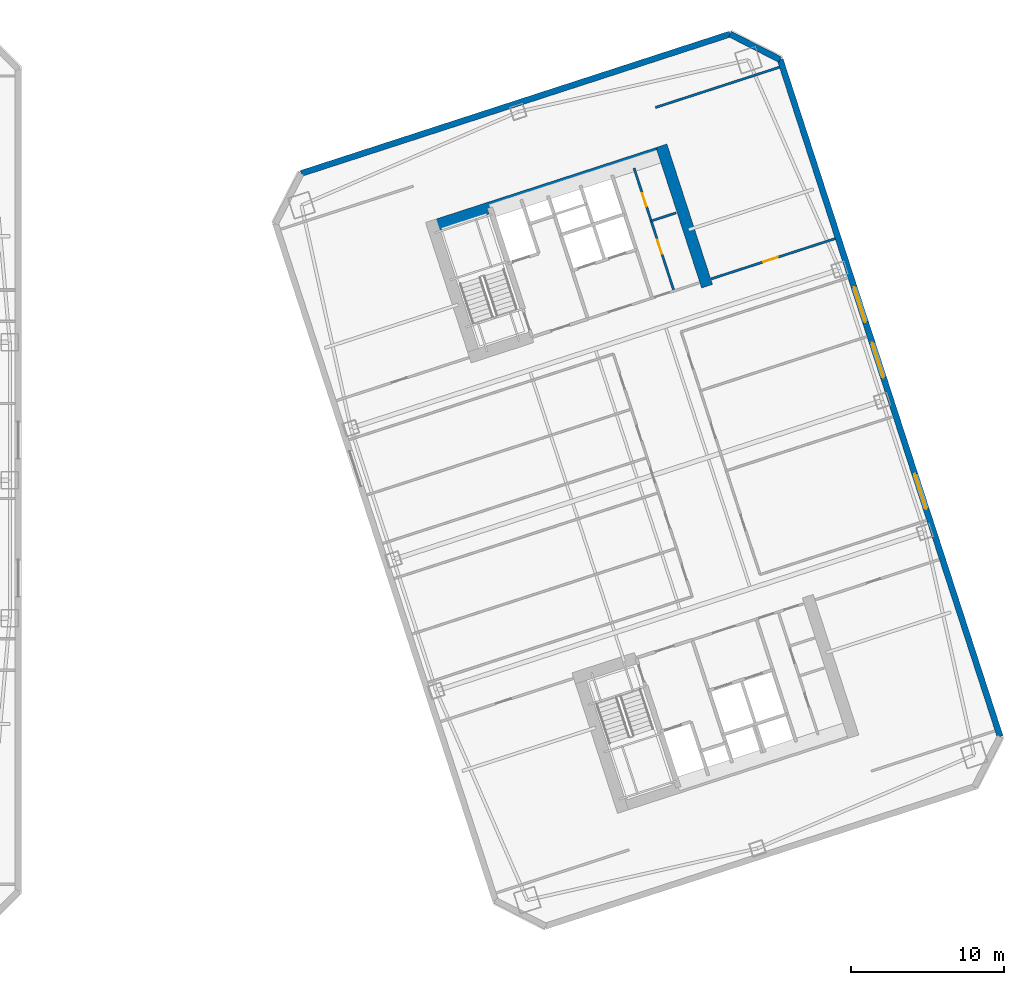
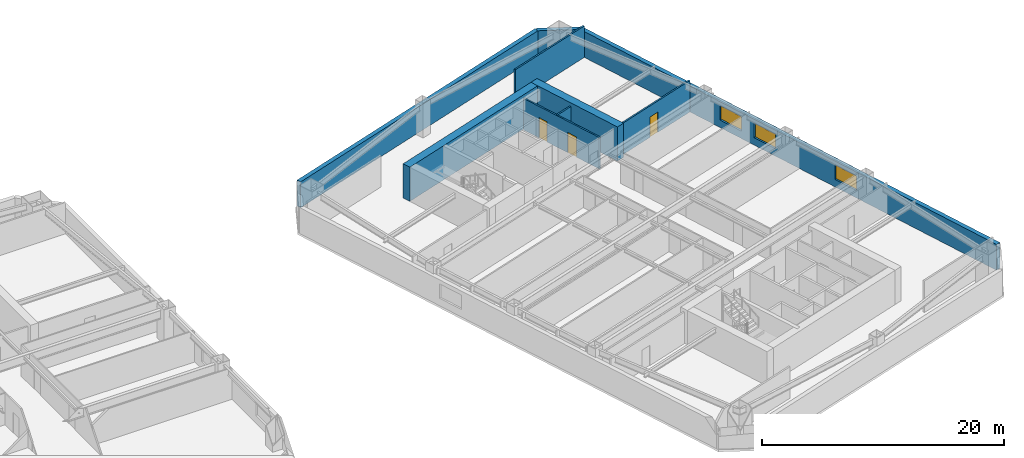
# One storey, part 10 of 13: 9 walls, 3 doors, 3 windows, 6 openings.
"""IFC4 building model written with IfcOpenShell, lengths in metres."""

from ifc_helpers import new_model, si_unit, direction, frame, frame_2d, origin, place, context, subcontext, project, spatial, rectangle, extrude, material, layer, layer_set, type_object, element, fill, save


model = new_model("IFC4")

# Units and contexts
model_context = context("Model", 3, precision=1e-05, world=origin(), true_north=direction((0.0, 1.0)))
body_context = subcontext(model_context, "Body", "Model", "MODEL_VIEW")
ifc_project = project(units=[si_unit("LENGTHUNIT", "METRE"), si_unit("AREAUNIT", "SQUARE_METRE"), si_unit("VOLUMEUNIT", "CUBIC_METRE"), si_unit("PLANEANGLEUNIT", "RADIAN"), si_unit("MASSUNIT", "GRAM", prefix="KILO")], contexts=[model_context])

# Site, building, storey
site_placement = place(None, origin())
site = spatial("IfcSite", under=ifc_project, at=site_placement, CompositionType="ELEMENT")
building_placement = place(site_placement, origin())
building = spatial("IfcBuilding", under=site, at=building_placement, Name="Qiaolan Cultural Towers", CompositionType="ELEMENT")
storey_placement = place(building_placement, frame((0.0, 0.0, 85.10009765625)))
storey = spatial("IfcBuildingStorey", under=building, at=storey_placement, Name="L21", CompositionType="ELEMENT", Elevation=85.10009765625)

# Walls
ifc_material_1 = material(Name="Concrete C60", Category="concrete")
ifc_layer_1 = layer(ifc_material_1, 0.75)
ifc_layer_set_1 = layer_set([ifc_layer_1], Name="Concrete C60")
wall_type_1 = type_object("IfcWallType", Name="WL-CORE-750", PredefinedType="SHEAR", material=ifc_layer_set_1)
wall_1_placement = place(storey_placement, frame((76.27197265625, 50.442626953125, 0.0), z_axis=(0.0, 0.0, 1.0), x_axis=(0.951056072937, 0.309018358888, 0.0)))
element("IfcWall", 1, at=wall_1_placement, inside=storey, type_object=wall_type_1, Name="L21 T2-CN Outer Core Shear Wall", PredefinedType="SHEAR", context=body_context, shape_type="SweptSolid", body=[
    extrude(rectangle(XDim=16.550048828125, YDim=0.75, at=frame_2d((8.27490234375, 0.0))), origin(), (0.0, 0.0, 1.0), 3.449951171875),
])
wall_2_placement = place(storey_placement, frame((94.515380859375, 46.638916015625, 0.0), z_axis=(0.0, 0.0, 1.0), x_axis=(-0.309016134813, 0.951056795583, 0.0)))
element("IfcWall", 2, at=wall_2_placement, inside=storey, type_object=wall_type_1, Name="L21 T2-CN East Core Shear Wall", PredefinedType="SHEAR", context=body_context, shape_type="SweptSolid", body=[
    extrude(rectangle(XDim=9.630126953125, YDim=0.75, at=frame_2d((4.81494140625, 0.0))), origin(), (0.0, 0.0, 1.0), 3.449951171875),
])
ifc_material_2 = material(Name="Precast Concrete C50 Honed Stone Pier", Category="masonry")
ifc_layer_2 = layer(ifc_material_2, 0.39990234375)
ifc_layer_set_2 = layer_set([ifc_layer_2], Name="Precast Concrete C50 Honed Stone Pier")
wall_type_2 = type_object("IfcWallType", Name="WL-EXT-PIER-400", PredefinedType="SOLIDWALL", material=ifc_layer_set_2)
wall_3_placement = place(storey_placement, frame((68.046875, 53.99462890625, 0.0), z_axis=(0.0, 0.0, 1.0), x_axis=(0.95105505922, 0.309021478754, 0.0)))
element("IfcWall", 3, at=wall_3_placement, inside=storey, type_object=wall_type_2, Name="L21 East Tower Precast Pier Facade Wall F3", PredefinedType="SOLIDWALL", context=body_context, shape_type="SweptSolid", body=[
    extrude(rectangle(XDim=29.39990234375, YDim=0.39990234375, at=frame_2d((14.699951171875, 0.0))), origin(), (0.0, 0.0, 1.0), 2.60986328125),
])
wall_4_placement = place(storey_placement, frame((96.0078125, 63.079833984375, 0.0), z_axis=(0.0, 0.0, 1.0), x_axis=(0.891001999643, -0.45399937955, 0.0)))
element("IfcWall", 4, at=wall_4_placement, inside=storey, type_object=wall_type_2, Name="L21 East Tower Precast Pier Facade Wall F4", PredefinedType="SOLIDWALL", context=body_context, shape_type="SweptSolid", body=[
    extrude(rectangle(XDim=3.67724609375, YDim=0.39990234375, at=frame_2d((1.838623046875, 0.0))), origin(), (0.0, 0.0, 1.0), 2.60986328125),
])

# Wall, openings, windows
wall_5_placement = place(storey_placement, frame((99.2841796875, 61.410400390625, 0.0), z_axis=(0.0, 0.0, 1.0), x_axis=(0.309017542002, -0.95105633836, 0.0)))
wall_5 = element("IfcWall", 5, at=wall_5_placement, inside=storey, type_object=wall_type_2, Name="L21 East Tower Precast Pier Facade Wall F5", PredefinedType="SOLIDWALL", context=body_context, shape_type="SweptSolid", body=[
    extrude(rectangle(XDim=46.39990234375, YDim=0.39990234375, at=frame_2d((23.199951171875, 0.0))), origin(), (0.0, 0.0, 1.0), 2.60986328125),
])
opening_1_placement = place(wall_5_placement, frame((28.39990234375, 0.0, 0.75)))
opening_1 = element("IfcOpeningElement", 6, at=opening_1_placement, cuts=wall_5, Name="Opening W-02", PredefinedType="OPENING", context=body_context, shape_type="SweptSolid", body=[
    extrude(rectangle(XDim=2.39990234375, YDim=1.4599609375, at=frame_2d((1.199951171875, 0.72998046875))), frame((0.0, 0.2099609375, 0.0), z_axis=(0.0, -1.0, 0.0), x_axis=(1.0, 0.0, 0.0)), (0.0, 0.0, 1.0), 0.419921875),
])
opening_2_placement = place(wall_5_placement, frame((19.39990234375, 0.0, 0.75)))
opening_2 = element("IfcOpeningElement", 7, at=opening_2_placement, cuts=wall_5, Name="Opening W-02", PredefinedType="OPENING", context=body_context, shape_type="SweptSolid", body=[
    extrude(rectangle(XDim=2.39990234375, YDim=1.4599609375, at=frame_2d((1.199951171875, 0.72998046875))), frame((0.0, 0.2099609375, 0.0), z_axis=(0.0, -1.0, 0.0), x_axis=(1.0, 0.0, 0.0)), (0.0, 0.0, 1.0), 0.419921875),
])
opening_3_placement = place(wall_5_placement, frame((15.60009765625, 0.0, 0.75)))
opening_3 = element("IfcOpeningElement", 8, at=opening_3_placement, cuts=wall_5, Name="Opening W-02", PredefinedType="OPENING", context=body_context, shape_type="SweptSolid", body=[
    extrude(rectangle(XDim=2.39990234375, YDim=1.4599609375, at=frame_2d((1.199951171875, 0.72998046875))), frame((0.0, 0.2099609375, 0.0), z_axis=(0.0, -1.0, 0.0), x_axis=(1.0, 0.0, 0.0)), (0.0, 0.0, 1.0), 0.419921875),
])
ifc_material_3 = material(Name="Thermally Broken Aluminium Triple Low-E Glazing", Category="aluminium")
window_type = type_object("IfcWindowType", Name="WN-CHIC-2400", PartitioningType="SINGLE_PANEL", PredefinedType="WINDOW", material=ifc_material_3)
window_1_placement = place(opening_1_placement, origin())
window_1 = element("IfcWindow", 9, at=window_1_placement, inside=storey, type_object=window_type, Name="L21 T2 E Chicago Bay Window 1", OverallHeight=1.4599609375, OverallWidth=2.39990234375, PartitioningType="TRIPLE_PANEL_VERTICAL", PredefinedType="WINDOW", context=body_context, shape_type="SweptSolid", body=[
    extrude(rectangle(XDim=2.39990234375, YDim=1.4599609375, at=frame_2d((1.199951171875, 0.72998046875))), frame((0.0, 0.030029296875, 0.0), z_axis=(0.0, -1.0, 0.0), x_axis=(1.0, 0.0, 0.0)), (0.0, 0.0, 1.0), 0.06005859375),
])
fill(opening_1, window_1)
window_2_placement = place(opening_2_placement, origin())
window_2 = element("IfcWindow", 10, at=window_2_placement, inside=storey, type_object=window_type, Name="L21 T2 E Chicago Bay Window 2", OverallHeight=1.4599609375, OverallWidth=2.39990234375, PartitioningType="TRIPLE_PANEL_VERTICAL", PredefinedType="WINDOW", context=body_context, shape_type="SweptSolid", body=[
    extrude(rectangle(XDim=2.39990234375, YDim=1.4599609375, at=frame_2d((1.199951171875, 0.72998046875))), frame((0.0, 0.030029296875, 0.0), z_axis=(0.0, -1.0, 0.0), x_axis=(1.0, 0.0, 0.0)), (0.0, 0.0, 1.0), 0.06005859375),
])
fill(opening_2, window_2)
window_3_placement = place(opening_3_placement, origin())
window_3 = element("IfcWindow", 11, at=window_3_placement, inside=storey, type_object=window_type, Name="L21 T2 E Chicago Bay Window 3", OverallHeight=1.4599609375, OverallWidth=2.39990234375, PartitioningType="TRIPLE_PANEL_VERTICAL", PredefinedType="WINDOW", context=body_context, shape_type="SweptSolid", body=[
    extrude(rectangle(XDim=2.39990234375, YDim=1.4599609375, at=frame_2d((1.199951171875, 0.72998046875))), frame((0.0, 0.030029296875, 0.0), z_axis=(0.0, -1.0, 0.0), x_axis=(1.0, 0.0, 0.0)), (0.0, 0.0, 1.0), 0.06005859375),
])
fill(opening_3, window_3)

# Wall, openings, doors
ifc_material_4 = material(Name="Autoclaved Aerated Concrete Block B06", Category="concrete")
ifc_layer_3 = layer(ifc_material_4, 0.14990234375)
ifc_layer_set_3 = layer_set([ifc_layer_3], Name="Autoclaved Aerated Concrete Block B06")
wall_type_3 = type_object("IfcWallType", Name="WL-PART-150", PredefinedType="PARTITIONING", material=ifc_layer_set_3)
wall_6_placement = place(storey_placement, frame((92.354736328125, 46.3310546875, 0.0), z_axis=(0.0, 0.0, 1.0), x_axis=(-0.309007490203, 0.951059604335, 0.0)))
wall_6 = element("IfcWall", 12, at=wall_6_placement, inside=storey, type_object=wall_type_3, Name="L21 T2-CN Washroom Split Wall", PredefinedType="PARTITIONING", context=body_context, shape_type="SweptSolid", body=[
    extrude(rectangle(XDim=8.43017578125, YDim=0.14990234375, at=frame_2d((4.215087890625, 0.0))), origin(), (0.0, 0.0, 1.0), 3.1748046875),
])
opening_4_placement = place(wall_6_placement, frame((2.550048828125, 0.0, 0.0)))
opening_4 = element("IfcOpeningElement", 13, at=opening_4_placement, cuts=wall_6, Name="Opening ID-05", PredefinedType="OPENING", context=body_context, shape_type="SweptSolid", body=[
    extrude(rectangle(XDim=0.949951171875, YDim=2.050048828125, at=frame_2d((0.47509765625, 1.02490234375))), frame((0.0, 0.0849609375, 0.0), z_axis=(0.0, -1.0, 0.0), x_axis=(1.0, 0.0, 0.0)), (0.0, 0.0, 1.0), 0.169921875),
])
opening_5_placement = place(wall_6_placement, frame((5.800048828125, 0.0, 0.0)))
opening_5 = element("IfcOpeningElement", 14, at=opening_5_placement, cuts=wall_6, Name="Opening ID-06", PredefinedType="OPENING", context=body_context, shape_type="SweptSolid", body=[
    extrude(rectangle(XDim=0.89990234375, YDim=2.050048828125, at=frame_2d((0.449951171875, 1.02490234375))), frame((0.0, 0.0849609375, 0.0), z_axis=(0.0, -1.0, 0.0), x_axis=(1.0, 0.0, 0.0)), (0.0, 0.0, 1.0), 0.169921875),
])
ifc_material_5 = material(Name="Fire-Rated Laminate Core Service Door", Category="timber")
door_type_1 = type_object("IfcDoorType", Name="DR-INT-900", OperationType="NOTDEFINED", PredefinedType="DOOR", material=ifc_material_5)
door_1_placement = place(opening_5_placement, origin())
door_1 = element("IfcDoor", 15, at=door_1_placement, inside=storey, type_object=door_type_1, Name="L21 First-Aid Room Door", OperationType="SINGLE_SWING_RIGHT", OverallHeight=2.050048828125, OverallWidth=0.89990234375, PredefinedType="DOOR", context=body_context, shape_type="SweptSolid", body=[
    extrude(rectangle(XDim=0.89990234375, YDim=2.050048828125, at=frame_2d((0.449951171875, 1.02490234375))), frame((0.0, 0.02490234375, 0.0), z_axis=(0.0, -1.0, 0.0), x_axis=(1.0, 0.0, 0.0)), (0.0, 0.0, 1.0), 0.050048828125),
])
fill(opening_5, door_1)
ifc_material_6 = material(Name="Fire-Rated Laminate Accessible Core Door", Category="timber")
door_type_2 = type_object("IfcDoorType", Name="DR-INT-950", OperationType="NOTDEFINED", PredefinedType="DOOR", material=ifc_material_6)
door_2_placement = place(opening_4_placement, origin())
door_2 = element("IfcDoor", 16, at=door_2_placement, inside=storey, type_object=door_type_2, Name="L21 Accessible Washroom Door", OperationType="SINGLE_SWING_LEFT", OverallHeight=2.050048828125, OverallWidth=0.949951171875, PredefinedType="DOOR", context=body_context, shape_type="SweptSolid", body=[
    extrude(rectangle(XDim=0.949951171875, YDim=2.050048828125, at=frame_2d((0.47509765625, 1.02490234375))), frame((0.0, 0.02490234375, 0.0), z_axis=(0.0, -1.0, 0.0), x_axis=(1.0, 0.0, 0.0)), (0.0, 0.0, 1.0), 0.050048828125),
])
fill(opening_4, door_2)

# Walls
wall_7_placement = place(storey_placement, frame((90.871337890625, 50.896240234375, 0.0), z_axis=(0.0, 0.0, 1.0), x_axis=(0.951054116971, 0.309024378638, 0.0)))
element("IfcWall", 17, at=wall_7_placement, inside=storey, type_object=wall_type_3, Name="L21 T2-CN First-Aid Wall", PredefinedType="PARTITIONING", context=body_context, shape_type="SweptSolid", body=[
    extrude(rectangle(XDim=1.7001953125, YDim=0.14990234375, at=frame_2d((0.85009765625, 0.0))), origin(), (0.0, 0.0, 1.0), 3.1748046875),
])
wall_8_placement = place(storey_placement, frame((91.14892578125, 58.294189453125, 0.0), z_axis=(0.0, 0.0, 1.0), x_axis=(0.951062770994, 0.308997743729, 0.0)))
element("IfcWall", 18, at=wall_8_placement, inside=storey, type_object=wall_type_3, Name="L21 T2 Flank Wall FLK-NE", PredefinedType="PARTITIONING", context=body_context, shape_type="SweptSolid", body=[
    extrude(rectangle(XDim=8.5, YDim=0.14990234375, at=frame_2d((4.25, 0.0))), origin(), (0.0, 0.0, 1.0), 3.1748046875),
])

# Wall, opening, door
wall_9_placement = place(storey_placement, frame((94.77978515625, 47.119140625, 0.0), z_axis=(0.0, 0.0, 1.0), x_axis=(0.951054329824, 0.309023723562, 0.0)))
wall_9 = element("IfcWall", 19, at=wall_9_placement, inside=storey, type_object=wall_type_3, Name="L21 T2 Flank Front FLK-NE", PredefinedType="PARTITIONING", context=body_context, shape_type="SweptSolid", body=[
    extrude(rectangle(XDim=8.5, YDim=0.14990234375, at=frame_2d((4.25, 0.0))), origin(), (0.0, 0.0, 1.0), 3.1748046875),
])
opening_6_placement = place(wall_9_placement, frame((3.570068359375, 0.0, 0.0)))
opening_6 = element("IfcOpeningElement", 20, at=opening_6_placement, cuts=wall_9, Name="Opening ID-04", PredefinedType="OPENING", context=body_context, shape_type="SweptSolid", body=[
    extrude(rectangle(XDim=1.0, YDim=2.050048828125, at=frame_2d((0.5, 1.02490234375))), frame((0.0, 0.0849609375, 0.0), z_axis=(0.0, -1.0, 0.0), x_axis=(1.0, 0.0, 0.0)), (0.0, 0.0, 1.0), 0.169921875),
])
ifc_material_7 = material(Name="Oak Veneer Acoustic Office Door", Category="timber")
door_type_3 = type_object("IfcDoorType", Name="DR-INT-1000", OperationType="NOTDEFINED", PredefinedType="DOOR", material=ifc_material_7)
door_3_placement = place(opening_6_placement, origin())
door_3 = element("IfcDoor", 21, at=door_3_placement, inside=storey, type_object=door_type_3, Name="L21 T2 Corner Studio Door", OperationType="SINGLE_SWING_LEFT", OverallHeight=2.050048828125, OverallWidth=1.0, PredefinedType="DOOR", context=body_context, shape_type="SweptSolid", body=[
    extrude(rectangle(XDim=1.0, YDim=2.050048828125, at=frame_2d((0.5, 1.02490234375))), frame((0.0, 0.02490234375, 0.0), z_axis=(0.0, -1.0, 0.0), x_axis=(1.0, 0.0, 0.0)), (0.0, 0.0, 1.0), 0.050048828125),
])
fill(opening_6, door_3)

save(model, "model.ifc")
